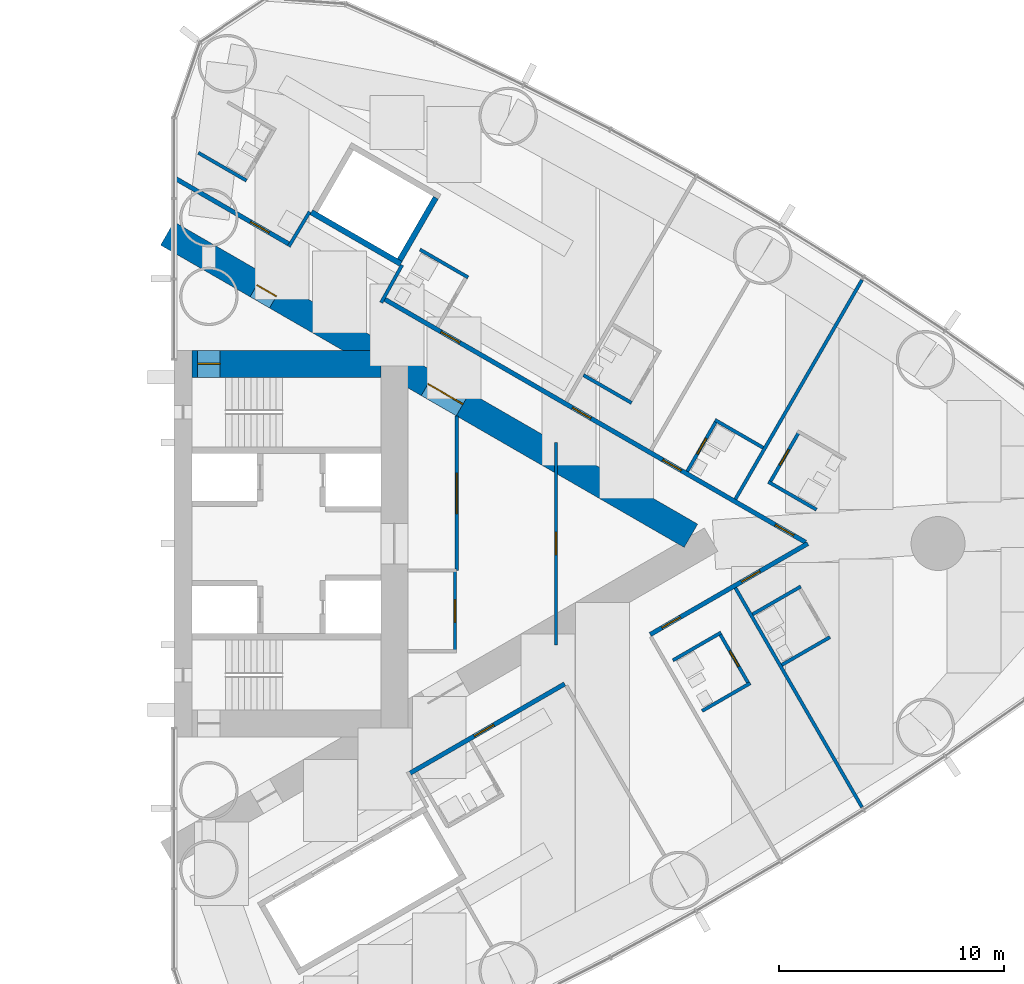
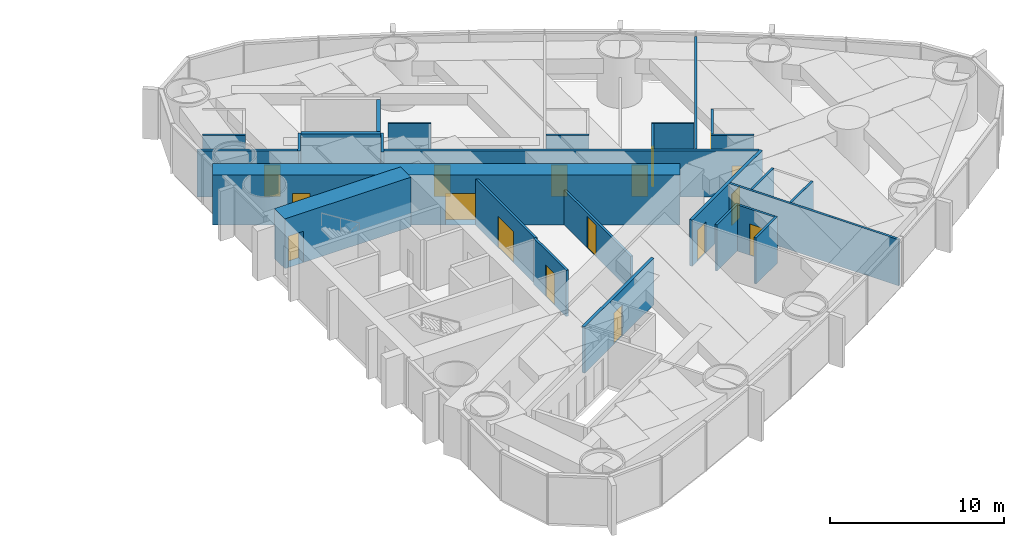
# One storey, part 14 of 18: 27 walls, 17 doors, 17 openings.
"""IFC4 building model written with IfcOpenShell, lengths in metres."""

from ifc_helpers import new_model, si_unit, direction, frame, frame_2d, origin, place, context, subcontext, project, spatial, rectangle, extrude, material, layer, layer_set, type_object, element, fill, save


model = new_model("IFC4")

# Units and contexts
model_context = context("Model", 3, precision=1e-05, world=origin(), true_north=direction((0.0, 1.0)))
body_context = subcontext(model_context, "Body", "Model", "MODEL_VIEW")
ifc_project = project(units=[si_unit("LENGTHUNIT", "METRE"), si_unit("AREAUNIT", "SQUARE_METRE"), si_unit("VOLUMEUNIT", "CUBIC_METRE"), si_unit("PLANEANGLEUNIT", "RADIAN"), si_unit("MASSUNIT", "GRAM", prefix="KILO")], contexts=[model_context])

# Site, building, storey
site_placement = place(None, origin())
site = spatial("IfcSite", under=ifc_project, at=site_placement, CompositionType="ELEMENT")
building_placement = place(site_placement, origin())
building = spatial("IfcBuilding", under=site, at=building_placement, Name="Lancet Gate Hotel", CompositionType="ELEMENT")
storey_placement = place(building_placement, frame((0.0, 0.0, 101.10009765625)))
storey = spatial("IfcBuildingStorey", under=building, at=storey_placement, Name="L26", CompositionType="ELEMENT", Elevation=101.10009765625)

# Wall
ifc_material_1 = material(Name="Moisture resistant board partition")
ifc_layer_1 = layer(ifc_material_1, 0.14990234375)
ifc_layer_set_1 = layer_set([ifc_layer_1], Name="Bathroom wall 150")
wall_type_1 = type_object("IfcWallType", Name="Bathroom wall 150", PredefinedType="PARTITIONING", material=ifc_layer_set_1)
wall_1_placement = place(storey_placement, frame((51.0, -7.44921875, 0.0), z_axis=(0.0, 0.0, 1.0), x_axis=(0.866006523861, 0.500032699561, 0.0)))
element("IfcWall", 1, at=wall_1_placement, inside=storey, type_object=wall_type_1, Name="T2 bathroom wall 150 L26", PredefinedType="PARTITIONING", context=body_context, shape_type="SweptSolid", body=[
    extrude(rectangle(XDim=2.474853515625, YDim=0.14990234375, at=frame_2d((1.2373046875, 0.0))), origin(), (0.0, 0.0, 1.0), 3.25),
])

# Wall, opening, door
wall_2_placement = place(storey_placement, frame((51.7783203125, -3.99755859375, 0.0), z_axis=(0.0, 0.0, 1.0), x_axis=(0.500047596559, -0.865997922154, 0.0)))
wall_2 = element("IfcWall", 2, at=wall_2_placement, inside=storey, type_object=wall_type_1, Name="T2 bathroom wall 150 L26", PredefinedType="PARTITIONING", context=body_context, shape_type="SweptSolid", body=[
    extrude(rectangle(XDim=2.599853515625, YDim=0.14990234375, at=frame_2d((1.2998046875, 0.0))), origin(), (0.0, 0.0, 1.0), 3.25),
])
opening_1_placement = place(wall_2_placement, frame((0.89990234375, 0.0, 0.0)))
opening_1 = element("IfcOpeningElement", 3, at=opening_1_placement, cuts=wall_2, Name="Opening 2656-B", PredefinedType="OPENING", context=body_context, shape_type="SweptSolid", body=[
    extrude(rectangle(XDim=0.800048828125, YDim=2.199951171875, at=frame_2d((0.39990234375, 1.10009765625))), frame((0.0, 0.0849609375, 0.0), z_axis=(0.0, -1.0, 0.0), x_axis=(1.0, 0.0, 0.0)), (0.0, 0.0, 1.0), 0.169921875),
])
ifc_material_2 = material(Name="Timber door set", Category="wood")
door_type_1 = type_object("IfcDoorType", Name="Bathroom door 800", OperationType="SINGLE_SWING_RIGHT", PredefinedType="DOOR", material=ifc_material_2)
door_1_placement = place(opening_1_placement, origin())
door_1 = element("IfcDoor", 4, at=door_1_placement, inside=storey, type_object=door_type_1, Name="2656-B", OperationType="SINGLE_SWING_RIGHT", OverallHeight=2.199951171875, OverallWidth=0.800048828125, PredefinedType="DOOR", context=body_context, shape_type="SweptSolid", body=[
    extrude(rectangle(XDim=0.800048828125, YDim=2.199951171875, at=frame_2d((0.39990234375, 1.10009765625))), frame((0.0, 0.02490234375, 0.0), z_axis=(0.0, -1.0, 0.0), x_axis=(1.0, 0.0, 0.0)), (0.0, 0.0, 1.0), 0.050048828125),
])
fill(opening_1, door_1)

# Walls
for number, where, z_axis, x_axis, name in (
    (5, (49.699951171875, -5.197509765625, 0.0), (0.0, 0.0, 1.0), (0.866006523861, 0.500032699561, 0.0), "T2 bathroom wall 150 L26"),
    (6, (54.54638671875, -5.401611328125, 0.0), (0.0, 0.0, 1.0), (0.866006523861, 0.500032699561, 0.0), "T2 bathroom wall 150 L26"),
    (7, (53.246337890625, -3.14990234375, 0.0), (0.0, 0.0, 1.0), (0.866006523861, 0.500032699561, 0.0), "T2 bathroom wall 150 L26"),
):
    element("IfcWall", number, at=place(storey_placement, frame(where, z_axis=z_axis, x_axis=x_axis)), inside=storey, type_object=wall_type_1, Name=name, PredefinedType="PARTITIONING", context=body_context, shape_type="SweptSolid", body=[
        extrude(rectangle(XDim=2.474853515625, YDim=0.14990234375, at=frame_2d((1.2373046875, 0.0))), origin(), (0.0, 0.0, 1.0), 3.25),
    ])

# Wall, opening, door
wall_3_placement = place(storey_placement, frame((54.010009765625, 2.708984375, 0.0), z_axis=(0.0, 0.0, 1.0), x_axis=(0.500006934395, 0.866021400173, 0.0)))
wall_3 = element("IfcWall", 8, at=wall_3_placement, inside=storey, type_object=wall_type_1, Name="T2 bathroom wall 150 L26", PredefinedType="PARTITIONING", context=body_context, shape_type="SweptSolid", body=[
    extrude(rectangle(XDim=2.60009765625, YDim=0.14990234375, at=frame_2d((1.300048828125, 0.0))), origin(), (0.0, 0.0, 1.0), 3.25),
])
opening_2_placement = place(wall_3_placement, frame((0.89990234375, 0.0, 0.0)))
opening_2 = element("IfcOpeningElement", 9, at=opening_2_placement, cuts=wall_3, Name="Opening 2658-B", PredefinedType="OPENING", context=body_context, shape_type="SweptSolid", body=[
    extrude(rectangle(XDim=0.800048828125, YDim=2.199951171875, at=frame_2d((0.39990234375, 1.10009765625))), frame((0.0, 0.0849609375, 0.0), z_axis=(0.0, -1.0, 0.0), x_axis=(1.0, 0.0, 0.0)), (0.0, 0.0, 1.0), 0.169921875),
])
door_2_placement = place(opening_2_placement, origin())
door_2 = element("IfcDoor", 10, at=door_2_placement, inside=storey, type_object=door_type_1, Name="2658-B", OperationType="SINGLE_SWING_RIGHT", OverallHeight=2.199951171875, OverallWidth=0.800048828125, PredefinedType="DOOR", context=body_context, shape_type="SweptSolid", body=[
    extrude(rectangle(XDim=0.800048828125, YDim=2.199951171875, at=frame_2d((0.39990234375, 1.10009765625))), frame((0.0, 0.02490234375, 0.0), z_axis=(0.0, -1.0, 0.0), x_axis=(1.0, 0.0, 0.0)), (0.0, 0.0, 1.0), 0.050048828125),
])
fill(opening_2, door_2)

# Walls
wall_4_placement = place(storey_placement, frame((53.945068359375, 2.74658203125, 0.0), z_axis=(0.0, 0.0, 1.0), x_axis=(0.866031185235, -0.4999899861, 0.0)))
element("IfcWall", 11, at=wall_4_placement, inside=storey, type_object=wall_type_1, Name="T2 bathroom wall 150 L26", PredefinedType="PARTITIONING", context=body_context, shape_type="SweptSolid", body=[
    extrude(rectangle(XDim=2.47509765625, YDim=0.14990234375, at=frame_2d((1.237548828125, 0.0))), origin(), (0.0, 0.0, 1.0), 3.25),
])
wall_5_placement = place(storey_placement, frame((51.572998046875, 5.501708984375, 0.0), z_axis=(0.0, 0.0, 1.0), x_axis=(0.866006523861, -0.500032699561, 0.0)))
element("IfcWall", 12, at=wall_5_placement, inside=storey, type_object=wall_type_1, Name="T2 bathroom wall 150 L26", PredefinedType="PARTITIONING", context=body_context, shape_type="SweptSolid", body=[
    extrude(rectangle(XDim=2.474853515625, YDim=0.14990234375, at=frame_2d((1.2373046875, 0.0))), origin(), (0.0, 0.0, 1.0), 3.25),
])

# Wall, opening, door
wall_6_placement = place(storey_placement, frame((50.337890625, 3.212646484375, 0.0), z_axis=(0.0, 0.0, 1.0), x_axis=(0.500047596559, 0.865997922154, 0.0)))
wall_6 = element("IfcWall", 13, at=wall_6_placement, inside=storey, type_object=wall_type_1, Name="T2 bathroom wall 150 L26", PredefinedType="PARTITIONING", context=body_context, shape_type="SweptSolid", body=[
    extrude(rectangle(XDim=2.599853515625, YDim=0.14990234375, at=frame_2d((1.2998046875, 0.0))), origin(), (0.0, 0.0, 1.0), 3.25),
])
opening_3_placement = place(wall_6_placement, frame((0.89990234375, 0.0, 0.0)))
opening_3 = element("IfcOpeningElement", 14, at=opening_3_placement, cuts=wall_6, Name="Opening 2659-B", PredefinedType="OPENING", context=body_context, shape_type="SweptSolid", body=[
    extrude(rectangle(XDim=0.800048828125, YDim=2.199951171875, at=frame_2d((0.39990234375, 1.10009765625))), frame((0.0, 0.0849609375, 0.0), z_axis=(0.0, -1.0, 0.0), x_axis=(1.0, 0.0, 0.0)), (0.0, 0.0, 1.0), 0.169921875),
])
door_3_placement = place(opening_3_placement, origin())
door_3 = element("IfcDoor", 15, at=door_3_placement, inside=storey, type_object=door_type_1, Name="2659-B", OperationType="SINGLE_SWING_RIGHT", OverallHeight=2.199951171875, OverallWidth=0.800048828125, PredefinedType="DOOR", context=body_context, shape_type="SweptSolid", body=[
    extrude(rectangle(XDim=0.800048828125, YDim=2.199951171875, at=frame_2d((0.39990234375, 1.10009765625))), frame((0.0, 0.02490234375, 0.0), z_axis=(0.0, -1.0, 0.0), x_axis=(1.0, 0.0, 0.0)), (0.0, 0.0, 1.0), 0.050048828125),
])
fill(opening_3, door_3)

# Walls
for number, where, z_axis, x_axis, name in (
    (16, (45.718505859375, 7.49609375, 0.0), (0.0, 0.0, 1.0), (0.866031185235, -0.4999899861, 0.0), "T2 bathroom wall 150 L26"),
    (17, (38.44384765625, 13.081787109375, 0.0), (0.0, 0.0, 1.0), (0.866031185235, -0.4999899861, 0.0), "T2 bathroom wall 150 L26"),
    (18, (28.581787109375, 17.389892578125, 0.0), (0.0, 0.0, 1.0), (0.866073894602, -0.499916002032, 0.0), "T2 bathroom wall 150 L26"),
):
    element("IfcWall", number, at=place(storey_placement, frame(where, z_axis=z_axis, x_axis=x_axis)), inside=storey, type_object=wall_type_1, Name=name, PredefinedType="PARTITIONING", context=body_context, shape_type="SweptSolid", body=[
        extrude(rectangle(XDim=2.47509765625, YDim=0.14990234375, at=frame_2d((1.237548828125, 0.0))), origin(), (0.0, 0.0, 1.0), 3.25),
    ])

# Wall, openings, doors
ifc_material_3 = material(Name="Concrete C70/85", Category="concrete")
ifc_layer_2 = layer(ifc_material_3, 1.199951171875)
ifc_layer_set_2 = layer_set([ifc_layer_2], Name="Buttress wall 1200")
wall_type_2 = type_object("IfcWallType", Name="Buttress wall 1200", PredefinedType="SHEAR", material=ifc_layer_set_2)
wall_7_placement = place(storey_placement, frame((27.199951171875, 13.800048828125, 0.0), z_axis=(0.0, 0.0, 1.0), x_axis=(0.866024515034, -0.500001539357, 0.0)))
wall_7 = element("IfcWall", 19, at=wall_7_placement, inside=storey, type_object=wall_type_2, Name="T2 buttress wall N L26", PredefinedType="SHEAR", context=body_context, shape_type="SweptSolid", body=[
    extrude(rectangle(XDim=26.9072265625, YDim=1.199951171875, at=frame_2d((13.45361328125, 0.0))), origin(), (0.0, 0.0, 1.0), 3.5),
])
opening_4_placement = place(wall_7_placement, frame((4.60009765625, 0.0, 0.0)))
opening_4 = element("IfcOpeningElement", 20, at=opening_4_placement, cuts=wall_7, Name="Opening T2-L26-LN", PredefinedType="OPENING", context=body_context, shape_type="SweptSolid", body=[
    extrude(rectangle(XDim=1.0, YDim=2.199951171875, at=frame_2d((0.5, 1.10009765625))), frame((0.0, 0.60986328125, 0.0), z_axis=(0.0, -1.0, 0.0), x_axis=(1.0, 0.0, 0.0)), (0.0, 0.0, 1.0), 1.219970703125),
])
opening_5_placement = place(wall_7_placement, frame((13.39453125, 0.0, 0.0)))
opening_5 = element("IfcOpeningElement", 21, at=opening_5_placement, cuts=wall_7, Name="Opening T2-L26-LHN", PredefinedType="OPENING", context=body_context, shape_type="SweptSolid", body=[
    extrude(rectangle(XDim=1.800048828125, YDim=2.199951171875, at=frame_2d((0.89990234375, 1.10009765625))), frame((0.0, 0.60986328125, 0.0), z_axis=(0.0, -1.0, 0.0), x_axis=(1.0, 0.0, 0.0)), (0.0, 0.0, 1.0), 1.219970703125),
])
ifc_material_4 = material(Name="Timber door set", Category="wood")
door_type_2 = type_object("IfcDoorType", Name="Lobby double door 1800", OperationType="DOUBLE_DOOR_SINGLE_SWING", PredefinedType="DOOR", material=ifc_material_4)
door_4_placement = place(opening_5_placement, origin())
door_4 = element("IfcDoor", 22, at=door_4_placement, inside=storey, type_object=door_type_2, Name="T2-L26-LHN", OperationType="DOUBLE_DOOR_SINGLE_SWING", OverallHeight=2.199951171875, OverallWidth=1.800048828125, PredefinedType="DOOR", context=body_context, shape_type="SweptSolid", body=[
    extrude(rectangle(XDim=1.800048828125, YDim=2.199951171875, at=frame_2d((0.89990234375, 1.10009765625))), frame((0.0, 0.02490234375, 0.0), z_axis=(0.0, -1.0, 0.0), x_axis=(1.0, 0.0, 0.0)), (0.0, 0.0, 1.0), 0.050048828125),
])
fill(opening_5, door_4)
ifc_material_5 = material(Name="Timber door set", Category="wood")
door_type_3 = type_object("IfcDoorType", Name="Stair lobby door 1000", OperationType="SINGLE_SWING_LEFT", PredefinedType="DOOR", material=ifc_material_5)
door_5_placement = place(opening_4_placement, origin())
door_5 = element("IfcDoor", 23, at=door_5_placement, inside=storey, type_object=door_type_3, Name="T2-L26-LN", OperationType="SINGLE_SWING_LEFT", OverallHeight=2.199951171875, OverallWidth=1.0, PredefinedType="DOOR", context=body_context, shape_type="SweptSolid", body=[
    extrude(rectangle(XDim=1.0, YDim=2.199951171875, at=frame_2d((0.5, 1.10009765625))), frame((0.0, 0.02490234375, 0.0), z_axis=(0.0, -1.0, 0.0), x_axis=(1.0, 0.0, 0.0)), (0.0, 0.0, 1.0), 0.050048828125),
])
fill(opening_4, door_5)

# Wall, opening, door
ifc_material_6 = material(Name="Concrete C70/85", Category="concrete")
ifc_layer_3 = layer(ifc_material_6, 1.199951171875)
ifc_layer_set_3 = layer_set([ifc_layer_3], Name="Core wall 1200")
wall_type_3 = type_object("IfcWallType", Name="Core wall 1200", PredefinedType="SHEAR", material=ifc_layer_set_3)
wall_8_placement = place(storey_placement, frame((28.300048828125, 8.0, 0.0), z_axis=(0.0, 0.0, 1.0), x_axis=(1.0, 0.0, 0.0)))
wall_8 = element("IfcWall", 24, at=wall_8_placement, inside=storey, type_object=wall_type_3, Name="T2 core wall side-N L26", PredefinedType="SHEAR", context=body_context, shape_type="SweptSolid", body=[
    extrude(rectangle(XDim=8.39990234375, YDim=1.199951171875, at=frame_2d((4.199951171875, 0.0))), origin(), (0.0, 0.0, 1.0), 3.5),
])
opening_6_placement = place(wall_8_placement, frame((0.25, 0.0, 0.0)))
opening_6 = element("IfcOpeningElement", 25, at=opening_6_placement, cuts=wall_8, Name="Opening T2-L26-ST2", PredefinedType="OPENING", context=body_context, shape_type="SweptSolid", body=[
    extrude(rectangle(XDim=1.0, YDim=2.199951171875, at=frame_2d((0.5, 1.10009765625))), frame((0.0, 0.60986328125, 0.0), z_axis=(0.0, -1.0, 0.0), x_axis=(1.0, 0.0, 0.0)), (0.0, 0.0, 1.0), 1.219970703125),
])
ifc_material_7 = material(Name="Timber door set", Category="wood")
door_type_4 = type_object("IfcDoorType", Name="Stair door 1000", OperationType="SINGLE_SWING_RIGHT", PredefinedType="DOOR", material=ifc_material_7)
door_6_placement = place(opening_6_placement, origin())
door_6 = element("IfcDoor", 26, at=door_6_placement, inside=storey, type_object=door_type_4, Name="T2-L26-ST2", OperationType="SINGLE_SWING_RIGHT", OverallHeight=2.199951171875, OverallWidth=1.0, PredefinedType="DOOR", context=body_context, shape_type="SweptSolid", body=[
    extrude(rectangle(XDim=1.0, YDim=2.199951171875, at=frame_2d((0.5, 1.10009765625))), frame((0.0, 0.02490234375, 0.0), z_axis=(0.0, -1.0, 0.0), x_axis=(1.0, 0.0, 0.0)), (0.0, 0.0, 1.0), 0.050048828125),
])
fill(opening_6, door_6)

ifc_material_8 = material(Name="Gypsum board partition")
ifc_layer_4 = layer(ifc_material_8, 0.199951171875)
ifc_layer_set_4 = layer_set([ifc_layer_4], Name="Corridor wall 200")
wall_type_4 = type_object("IfcWallType", Name="Corridor wall 200", PredefinedType="PARTITIONING", material=ifc_layer_set_4)
wall_9_placement = place(storey_placement, frame((27.572021484375, 16.240966796875, 0.0), z_axis=(0.0, 0.0, 1.0), x_axis=(0.866032814021, -0.499987164874, 0.0)))
wall_9 = element("IfcWall", 27, at=wall_9_placement, inside=storey, type_object=wall_type_4, Name="T2 corridor wall 200 L26", PredefinedType="PARTITIONING", context=body_context, shape_type="SweptSolid", body=[
    extrude(rectangle(XDim=5.854736328125, YDim=0.199951171875, at=frame_2d((2.92724609375, 0.0))), origin(), (0.0, 0.0, 1.0), 3.25),
])
opening_7_placement = place(wall_9_placement, frame((3.85009765625, 0.0, 0.0)))
opening_7 = element("IfcOpeningElement", 28, at=opening_7_placement, cuts=wall_9, Name="Opening 2664-E", PredefinedType="OPENING", context=body_context, shape_type="SweptSolid", body=[
    extrude(rectangle(XDim=0.949951171875, YDim=2.199951171875, at=frame_2d((0.47509765625, 1.10009765625))), frame((0.0, 0.10986328125, 0.0), z_axis=(0.0, -1.0, 0.0), x_axis=(1.0, 0.0, 0.0)), (0.0, 0.0, 1.0), 0.219970703125),
])
ifc_material_9 = material(Name="Timber door set", Category="wood")
door_type_5 = type_object("IfcDoorType", Name="Guest room entry door 950", OperationType="SINGLE_SWING_LEFT", PredefinedType="DOOR", material=ifc_material_9)
door_7_placement = place(opening_7_placement, origin())
door_7 = element("IfcDoor", 29, at=door_7_placement, inside=storey, type_object=door_type_5, Name="2664-E", OperationType="SINGLE_SWING_LEFT", OverallHeight=2.199951171875, OverallWidth=0.949951171875, PredefinedType="DOOR", context=body_context, shape_type="SweptSolid", body=[
    extrude(rectangle(XDim=0.949951171875, YDim=2.199951171875, at=frame_2d((0.47509765625, 1.10009765625))), frame((0.0, 0.02490234375, 0.0), z_axis=(0.0, -1.0, 0.0), x_axis=(1.0, 0.0, 0.0)), (0.0, 0.0, 1.0), 0.050048828125),
])
fill(opening_7, door_7)

# Wall, openings, doors
wall_10_placement = place(storey_placement, frame((36.833984375, 10.8935546875, 0.0), z_axis=(0.0, 0.0, 1.0), x_axis=(0.866028157229, -0.499995230863, 0.0)))
wall_10 = element("IfcWall", 30, at=wall_10_placement, inside=storey, type_object=wall_type_4, Name="T2 corridor wall 200 L26", PredefinedType="PARTITIONING", context=body_context, shape_type="SweptSolid", body=[
    extrude(rectangle(XDim=21.667236328125, YDim=0.199951171875, at=frame_2d((10.83349609375, 0.0))), origin(), (0.0, 0.0, 1.0), 3.25),
])
opening_8_placement = place(wall_10_placement, frame((20.1171875, 0.0, 0.0)))
opening_8 = element("IfcOpeningElement", 31, at=opening_8_placement, cuts=wall_10, Name="Opening 2658-E", PredefinedType="OPENING", context=body_context, shape_type="SweptSolid", body=[
    extrude(rectangle(XDim=0.949951171875, YDim=2.199951171875, at=frame_2d((0.47509765625, 1.10009765625))), frame((0.0, 0.10986328125, 0.0), z_axis=(0.0, -1.0, 0.0), x_axis=(1.0, 0.0, 0.0)), (0.0, 0.0, 1.0), 0.219970703125),
])
opening_9_placement = place(wall_10_placement, frame((14.335205078125, 0.0, 0.0)))
opening_9 = element("IfcOpeningElement", 32, at=opening_9_placement, cuts=wall_10, Name="Opening 2659-E", PredefinedType="OPENING", context=body_context, shape_type="SweptSolid", body=[
    extrude(rectangle(XDim=0.949951171875, YDim=2.199951171875, at=frame_2d((0.47509765625, 1.10009765625))), frame((0.0, 0.10986328125, 0.0), z_axis=(0.0, -1.0, 0.0), x_axis=(1.0, 0.0, 0.0)), (0.0, 0.0, 1.0), 0.219970703125),
])
opening_10_placement = place(wall_10_placement, frame((9.69287109375, 0.0, 0.0)))
opening_10 = element("IfcOpeningElement", 33, at=opening_10_placement, cuts=wall_10, Name="Opening 2660-E", PredefinedType="OPENING", context=body_context, shape_type="SweptSolid", body=[
    extrude(rectangle(XDim=0.949951171875, YDim=2.199951171875, at=frame_2d((0.47509765625, 1.10009765625))), frame((0.0, 0.10986328125, 0.0), z_axis=(0.0, -1.0, 0.0), x_axis=(1.0, 0.0, 0.0)), (0.0, 0.0, 1.0), 0.219970703125),
])
opening_11_placement = place(wall_10_placement, frame((2.949951171875, 0.0, 0.0)))
opening_11 = element("IfcOpeningElement", 34, at=opening_11_placement, cuts=wall_10, Name="Opening 2661-E", PredefinedType="OPENING", context=body_context, shape_type="SweptSolid", body=[
    extrude(rectangle(XDim=0.949951171875, YDim=2.199951171875, at=frame_2d((0.47509765625, 1.10009765625))), frame((0.0, 0.10986328125, 0.0), z_axis=(0.0, -1.0, 0.0), x_axis=(1.0, 0.0, 0.0)), (0.0, 0.0, 1.0), 0.219970703125),
])
door_8_placement = place(opening_8_placement, origin())
door_8 = element("IfcDoor", 35, at=door_8_placement, inside=storey, type_object=door_type_5, Name="2658-E", OperationType="SINGLE_SWING_LEFT", OverallHeight=2.199951171875, OverallWidth=0.949951171875, PredefinedType="DOOR", context=body_context, shape_type="SweptSolid", body=[
    extrude(rectangle(XDim=0.949951171875, YDim=2.199951171875, at=frame_2d((0.47509765625, 1.10009765625))), frame((0.0, 0.02490234375, 0.0), z_axis=(0.0, -1.0, 0.0), x_axis=(1.0, 0.0, 0.0)), (0.0, 0.0, 1.0), 0.050048828125),
])
fill(opening_8, door_8)
door_9_placement = place(opening_9_placement, origin())
door_9 = element("IfcDoor", 36, at=door_9_placement, inside=storey, type_object=door_type_5, Name="2659-E", OperationType="SINGLE_SWING_LEFT", OverallHeight=2.199951171875, OverallWidth=0.949951171875, PredefinedType="DOOR", context=body_context, shape_type="SweptSolid", body=[
    extrude(rectangle(XDim=0.949951171875, YDim=2.199951171875, at=frame_2d((0.47509765625, 1.10009765625))), frame((0.0, 0.02490234375, 0.0), z_axis=(0.0, -1.0, 0.0), x_axis=(1.0, 0.0, 0.0)), (0.0, 0.0, 1.0), 0.050048828125),
])
fill(opening_9, door_9)
door_10_placement = place(opening_10_placement, origin())
door_10 = element("IfcDoor", 37, at=door_10_placement, inside=storey, type_object=door_type_5, Name="2660-E", OperationType="SINGLE_SWING_LEFT", OverallHeight=2.199951171875, OverallWidth=0.949951171875, PredefinedType="DOOR", context=body_context, shape_type="SweptSolid", body=[
    extrude(rectangle(XDim=0.949951171875, YDim=2.199951171875, at=frame_2d((0.47509765625, 1.10009765625))), frame((0.0, 0.02490234375, 0.0), z_axis=(0.0, -1.0, 0.0), x_axis=(1.0, 0.0, 0.0)), (0.0, 0.0, 1.0), 0.050048828125),
])
fill(opening_10, door_10)
door_11_placement = place(opening_11_placement, origin())
door_11 = element("IfcDoor", 38, at=door_11_placement, inside=storey, type_object=door_type_5, Name="2661-E", OperationType="SINGLE_SWING_LEFT", OverallHeight=2.199951171875, OverallWidth=0.949951171875, PredefinedType="DOOR", context=body_context, shape_type="SweptSolid", body=[
    extrude(rectangle(XDim=0.949951171875, YDim=2.199951171875, at=frame_2d((0.47509765625, 1.10009765625))), frame((0.0, 0.02490234375, 0.0), z_axis=(0.0, -1.0, 0.0), x_axis=(1.0, 0.0, 0.0)), (0.0, 0.0, 1.0), 0.050048828125),
])
fill(opening_11, door_11)

# Wall, opening, door
wall_11_placement = place(storey_placement, frame((37.9599609375, -10.243408203125, 0.0), z_axis=(0.0, 0.0, 1.0), x_axis=(0.86603350054, 0.499985975746, 0.0)))
wall_11 = element("IfcWall", 39, at=wall_11_placement, inside=storey, type_object=wall_type_4, Name="T2 corridor wall 200 L26", PredefinedType="PARTITIONING", context=body_context, shape_type="SweptSolid", body=[
    extrude(rectangle(XDim=7.992919921875, YDim=0.199951171875, at=frame_2d((3.99658203125, 0.0))), origin(), (0.0, 0.0, 1.0), 3.25),
])
opening_12_placement = place(wall_11_placement, frame((3.35009765625, 0.0, 0.0)))
opening_12 = element("IfcOpeningElement", 40, at=opening_12_placement, cuts=wall_11, Name="Opening 2653-E", PredefinedType="OPENING", context=body_context, shape_type="SweptSolid", body=[
    extrude(rectangle(XDim=1.0, YDim=2.199951171875, at=frame_2d((0.5, 1.10009765625))), frame((0.0, 0.10986328125, 0.0), z_axis=(0.0, -1.0, 0.0), x_axis=(1.0, 0.0, 0.0)), (0.0, 0.0, 1.0), 0.219970703125),
])
ifc_material_10 = material(Name="Timber door set", Category="wood")
door_type_6 = type_object("IfcDoorType", Name="Accessible guest room door 1000", OperationType="SINGLE_SWING_LEFT", PredefinedType="DOOR", material=ifc_material_10)
door_12_placement = place(opening_12_placement, origin())
door_12 = element("IfcDoor", 41, at=door_12_placement, inside=storey, type_object=door_type_6, Name="2653-E", OperationType="SINGLE_SWING_LEFT", OverallHeight=2.199951171875, OverallWidth=1.0, PredefinedType="DOOR", context=body_context, shape_type="SweptSolid", body=[
    extrude(rectangle(XDim=1.0, YDim=2.199951171875, at=frame_2d((0.5, 1.10009765625))), frame((0.0, 0.02490234375, 0.0), z_axis=(0.0, -1.0, 0.0), x_axis=(1.0, 0.0, 0.0)), (0.0, 0.0, 1.0), 0.050048828125),
])
fill(opening_12, door_12)

# Wall, openings, doors
wall_12_placement = place(storey_placement, frame((48.690185546875, -4.04833984375, 0.0), z_axis=(0.0, 0.0, 1.0), x_axis=(0.866026410209, 0.499998256818, 0.0)))
wall_12 = element("IfcWall", 42, at=wall_12_placement, inside=storey, type_object=wall_type_4, Name="T2 corridor wall 200 L26", PredefinedType="PARTITIONING", context=body_context, shape_type="SweptSolid", body=[
    extrude(rectangle(XDim=8.0966796875, YDim=0.199951171875, at=frame_2d((4.04833984375, 0.0))), origin(), (0.0, 0.0, 1.0), 3.25),
])
opening_13_placement = place(wall_12_placement, frame((0.60009765625, 0.0, 0.0)))
opening_13 = element("IfcOpeningElement", 43, at=opening_13_placement, cuts=wall_12, Name="Opening 2656-E", PredefinedType="OPENING", context=body_context, shape_type="SweptSolid", body=[
    extrude(rectangle(XDim=0.949951171875, YDim=2.199951171875, at=frame_2d((0.47509765625, 1.10009765625))), frame((0.0, 0.10986328125, 0.0), z_axis=(0.0, -1.0, 0.0), x_axis=(1.0, 0.0, 0.0)), (0.0, 0.0, 1.0), 0.219970703125),
])
opening_14_placement = place(wall_12_placement, frame((4.695068359375, 0.0, 0.0)))
opening_14 = element("IfcOpeningElement", 44, at=opening_14_placement, cuts=wall_12, Name="Opening 2657-E", PredefinedType="OPENING", context=body_context, shape_type="SweptSolid", body=[
    extrude(rectangle(XDim=0.949951171875, YDim=2.199951171875, at=frame_2d((0.47509765625, 1.10009765625))), frame((0.0, 0.10986328125, 0.0), z_axis=(0.0, -1.0, 0.0), x_axis=(1.0, 0.0, 0.0)), (0.0, 0.0, 1.0), 0.219970703125),
])
door_13_placement = place(opening_13_placement, origin())
door_13 = element("IfcDoor", 45, at=door_13_placement, inside=storey, type_object=door_type_5, Name="2656-E", OperationType="SINGLE_SWING_LEFT", OverallHeight=2.199951171875, OverallWidth=0.949951171875, PredefinedType="DOOR", context=body_context, shape_type="SweptSolid", body=[
    extrude(rectangle(XDim=0.949951171875, YDim=2.199951171875, at=frame_2d((0.47509765625, 1.10009765625))), frame((0.0, 0.02490234375, 0.0), z_axis=(0.0, -1.0, 0.0), x_axis=(1.0, 0.0, 0.0)), (0.0, 0.0, 1.0), 0.050048828125),
])
fill(opening_13, door_13)
door_14_placement = place(opening_14_placement, origin())
door_14 = element("IfcDoor", 46, at=door_14_placement, inside=storey, type_object=door_type_5, Name="2657-E", OperationType="SINGLE_SWING_LEFT", OverallHeight=2.199951171875, OverallWidth=0.949951171875, PredefinedType="DOOR", context=body_context, shape_type="SweptSolid", body=[
    extrude(rectangle(XDim=0.949951171875, YDim=2.199951171875, at=frame_2d((0.47509765625, 1.10009765625))), frame((0.0, 0.02490234375, 0.0), z_axis=(0.0, -1.0, 0.0), x_axis=(1.0, 0.0, 0.0)), (0.0, 0.0, 1.0), 0.050048828125),
])
fill(opening_14, door_14)

# Walls
ifc_material_11 = material(Name="Gypsum board partition")
ifc_layer_5 = layer(ifc_material_11, 0.25)
ifc_layer_set_5 = layer_set([ifc_layer_5], Name="Lift shaft partition 250")
wall_type_5 = type_object("IfcWallType", Name="Lift shaft partition 250", PredefinedType="PARTITIONING", material=ifc_layer_set_5)
wall_13_placement = place(storey_placement, frame((33.6083984375, 14.747314453125, 0.0), z_axis=(0.0, 0.0, 1.0), x_axis=(0.866043305498, -0.49996899204, 0.0)))
element("IfcWall", 47, at=wall_13_placement, inside=storey, type_object=wall_type_5, Name="T2 lift shaft wall EX L26", PredefinedType="PARTITIONING", context=body_context, shape_type="SweptSolid", body=[
    extrude(rectangle(XDim=4.600341796875, YDim=0.25, at=frame_2d((2.30029296875, 0.0))), origin(), (0.0, 0.0, 1.0), 3.25),
])
wall_14_placement = place(storey_placement, frame((37.546630859375, 12.617919921875, 0.0), z_axis=(0.0, 0.0, 1.0), x_axis=(0.499929347863, 0.866066190972, 0.0)))
element("IfcWall", 48, at=wall_14_placement, inside=storey, type_object=wall_type_5, Name="T2 lift shaft wall EX L26", PredefinedType="PARTITIONING", context=body_context, shape_type="SweptSolid", body=[
    extrude(rectangle(XDim=3.20068359375, YDim=0.25, at=frame_2d((1.600341796875, 0.0))), origin(), (0.0, 0.0, 1.0), 3.25),
])
ifc_material_12 = material(Name="Gypsum board partition")
ifc_layer_6 = layer(ifc_material_12, 0.14990234375)
ifc_layer_set_6 = layer_set([ifc_layer_6], Name="Party wall 150")
wall_type_6 = type_object("IfcWallType", Name="Party wall 150", PredefinedType="PARTITIONING", material=ifc_layer_set_6)
for number, where, z_axis, x_axis, name in (
    (49, (52.4814453125, -1.97509765625, 0.0), (0.0, 0.0, 1.0), (0.500003867771, -0.866023170714, 0.0), "T2 party wall 150 L26"),
    (50, (52.4814453125, 1.97509765625, 0.0), (0.0, 0.0, 1.0), (0.500003867771, 0.866023170714, 0.0), "T2 party wall 150 L26"),
):
    element("IfcWall", number, at=place(storey_placement, frame(where, z_axis=z_axis, x_axis=x_axis)), inside=storey, type_object=wall_type_6, Name=name, PredefinedType="PARTITIONING", context=body_context, shape_type="SweptSolid", body=[
        extrude(rectangle(XDim=11.2646484375, YDim=0.14990234375, at=frame_2d((5.63232421875, 0.0))), origin(), (0.0, 0.0, 1.0), 3.25),
    ])
ifc_material_13 = material(Name="Gypsum board partition")
ifc_layer_7 = layer(ifc_material_13, 0.14990234375)
ifc_layer_set_7 = layer_set([ifc_layer_7], Name="Service room wall 150")
wall_type_7 = type_object("IfcWallType", Name="Service room wall 150", PredefinedType="PARTITIONING", material=ifc_layer_set_7)
wall_15_placement = place(storey_placement, frame((36.718505859375, 10.723388671875, 0.0), z_axis=(0.0, 0.0, 1.0), x_axis=(0.486348184724, 0.87376509613, 0.0)))
element("IfcWall", 51, at=wall_15_placement, inside=storey, type_object=wall_type_7, Name="T2 service room wall 150 L26", PredefinedType="PARTITIONING", context=body_context, shape_type="SweptSolid", body=[
    extrude(rectangle(XDim=1.91015625, YDim=0.14990234375, at=frame_2d((0.955078125, 0.0))), origin(), (0.0, 0.0, 1.0), 3.25),
])
wall_16_placement = place(storey_placement, frame((33.533447265625, 14.767333984375, 0.0), z_axis=(0.0, 0.0, 1.0), x_axis=(-0.514296815006, -0.857612258585, 0.0)))
element("IfcWall", 52, at=wall_16_placement, inside=storey, type_object=wall_type_7, Name="T2 service room wall 150 L26", PredefinedType="PARTITIONING", context=body_context, shape_type="SweptSolid", body=[
    extrude(rectangle(XDim=1.804931640625, YDim=0.14990234375, at=frame_2d((0.90234375, 0.0))), origin(), (0.0, 0.0, 1.0), 3.25),
])

# Wall, opening, door
wall_17_placement = place(storey_placement, frame((40.0, -4.875, 0.0), z_axis=(0.0, 0.0, 1.0), x_axis=(0.0, 1.0, 0.0)))
wall_17 = element("IfcWall", 53, at=wall_17_placement, inside=storey, type_object=wall_type_7, Name="T2 service room wall 150 L26", PredefinedType="PARTITIONING", context=body_context, shape_type="SweptSolid", body=[
    extrude(rectangle(XDim=3.75, YDim=0.14990234375, at=frame_2d((1.875, 0.0))), origin(), (0.0, 0.0, 1.0), 3.25),
])
opening_15_placement = place(wall_17_placement, frame((1.375, 0.0, 0.0)))
opening_15 = element("IfcOpeningElement", 54, at=opening_15_placement, cuts=wall_17, Name="Opening T2-L26-HRS0", PredefinedType="OPENING", context=body_context, shape_type="SweptSolid", body=[
    extrude(rectangle(XDim=1.0, YDim=2.199951171875, at=frame_2d((0.5, 1.10009765625))), frame((0.0, 0.0849609375, 0.0), z_axis=(0.0, -1.0, 0.0), x_axis=(1.0, 0.0, 0.0)), (0.0, 0.0, 1.0), 0.169921875),
])
ifc_material_14 = material(Name="Timber door set", Category="wood")
door_type_7 = type_object("IfcDoorType", Name="Service door 1000", OperationType="SINGLE_SWING_LEFT", PredefinedType="DOOR", material=ifc_material_14)
door_15_placement = place(opening_15_placement, origin())
door_15 = element("IfcDoor", 55, at=door_15_placement, inside=storey, type_object=door_type_7, Name="T2-L26-HRS0", OperationType="SINGLE_SWING_LEFT", OverallHeight=2.199951171875, OverallWidth=1.0, PredefinedType="DOOR", context=body_context, shape_type="SweptSolid", body=[
    extrude(rectangle(XDim=1.0, YDim=2.199951171875, at=frame_2d((0.5, 1.10009765625))), frame((0.0, 0.02490234375, 0.0), z_axis=(0.0, -1.0, 0.0), x_axis=(1.0, 0.0, 0.0)), (0.0, 0.0, 1.0), 0.050048828125),
])
fill(opening_15, door_15)

wall_18_placement = place(storey_placement, frame((40.074951171875, -1.199951171875, 0.0), z_axis=(0.0, 0.0, 1.0), x_axis=(0.0, 1.0, 0.0)))
wall_18 = element("IfcWall", 56, at=wall_18_placement, inside=storey, type_object=wall_type_7, Name="T2 service room wall 150 L26", PredefinedType="PARTITIONING", context=body_context, shape_type="SweptSolid", body=[
    extrude(rectangle(XDim=6.873779296875, YDim=0.14990234375, at=frame_2d((3.43701171875, 0.0))), origin(), (0.0, 0.0, 1.0), 3.25),
])
opening_16_placement = place(wall_18_placement, frame((2.536865234375, 0.0, 0.0)))
opening_16 = element("IfcOpeningElement", 57, at=opening_16_placement, cuts=wall_18, Name="Opening T2-L26-LH", PredefinedType="OPENING", context=body_context, shape_type="SweptSolid", body=[
    extrude(rectangle(XDim=1.800048828125, YDim=2.199951171875, at=frame_2d((0.89990234375, 1.10009765625))), frame((0.0, 0.0849609375, 0.0), z_axis=(0.0, -1.0, 0.0), x_axis=(1.0, 0.0, 0.0)), (0.0, 0.0, 1.0), 0.169921875),
])
door_16_placement = place(opening_16_placement, origin())
door_16 = element("IfcDoor", 58, at=door_16_placement, inside=storey, type_object=door_type_2, Name="T2-L26-LH", OperationType="DOUBLE_DOOR_SINGLE_SWING", OverallHeight=2.199951171875, OverallWidth=1.800048828125, PredefinedType="DOOR", context=body_context, shape_type="SweptSolid", body=[
    extrude(rectangle(XDim=1.800048828125, YDim=2.199951171875, at=frame_2d((0.89990234375, 1.10009765625))), frame((0.0, 0.02490234375, 0.0), z_axis=(0.0, -1.0, 0.0), x_axis=(1.0, 0.0, 0.0)), (0.0, 0.0, 1.0), 0.050048828125),
])
fill(opening_16, door_16)

wall_19_placement = place(storey_placement, frame((44.5, -4.504638671875, 0.0), z_axis=(0.0, 0.0, 1.0), x_axis=(0.0, 1.0, 0.0)))
wall_19 = element("IfcWall", 59, at=wall_19_placement, inside=storey, type_object=wall_type_7, Name="T2 service room wall 150 L26", PredefinedType="PARTITIONING", context=body_context, shape_type="SweptSolid", body=[
    extrude(rectangle(XDim=9.00927734375, YDim=0.14990234375, at=frame_2d((4.504638671875, 0.0))), origin(), (0.0, 0.0, 1.0), 2.449951171875),
])
opening_17_placement = place(wall_19_placement, frame((4.004638671875, 0.0, 0.0)))
opening_17 = element("IfcOpeningElement", 60, at=opening_17_placement, cuts=wall_19, Name="Opening T2-L26-SV", PredefinedType="OPENING", context=body_context, shape_type="SweptSolid", body=[
    extrude(rectangle(XDim=1.0, YDim=2.199951171875, at=frame_2d((0.5, 1.10009765625))), frame((0.0, 0.0849609375, 0.0), z_axis=(0.0, -1.0, 0.0), x_axis=(1.0, 0.0, 0.0)), (0.0, 0.0, 1.0), 0.169921875),
])
door_17_placement = place(opening_17_placement, origin())
door_17 = element("IfcDoor", 61, at=door_17_placement, inside=storey, type_object=door_type_7, Name="T2-L26-SV", OperationType="SINGLE_SWING_LEFT", OverallHeight=2.199951171875, OverallWidth=1.0, PredefinedType="DOOR", context=body_context, shape_type="SweptSolid", body=[
    extrude(rectangle(XDim=1.0, YDim=2.199951171875, at=frame_2d((0.5, 1.10009765625))), frame((0.0, 0.02490234375, 0.0), z_axis=(0.0, -1.0, 0.0), x_axis=(1.0, 0.0, 0.0)), (0.0, 0.0, 1.0), 0.050048828125),
])
fill(opening_17, door_17)

save(model, "model.ifc")
